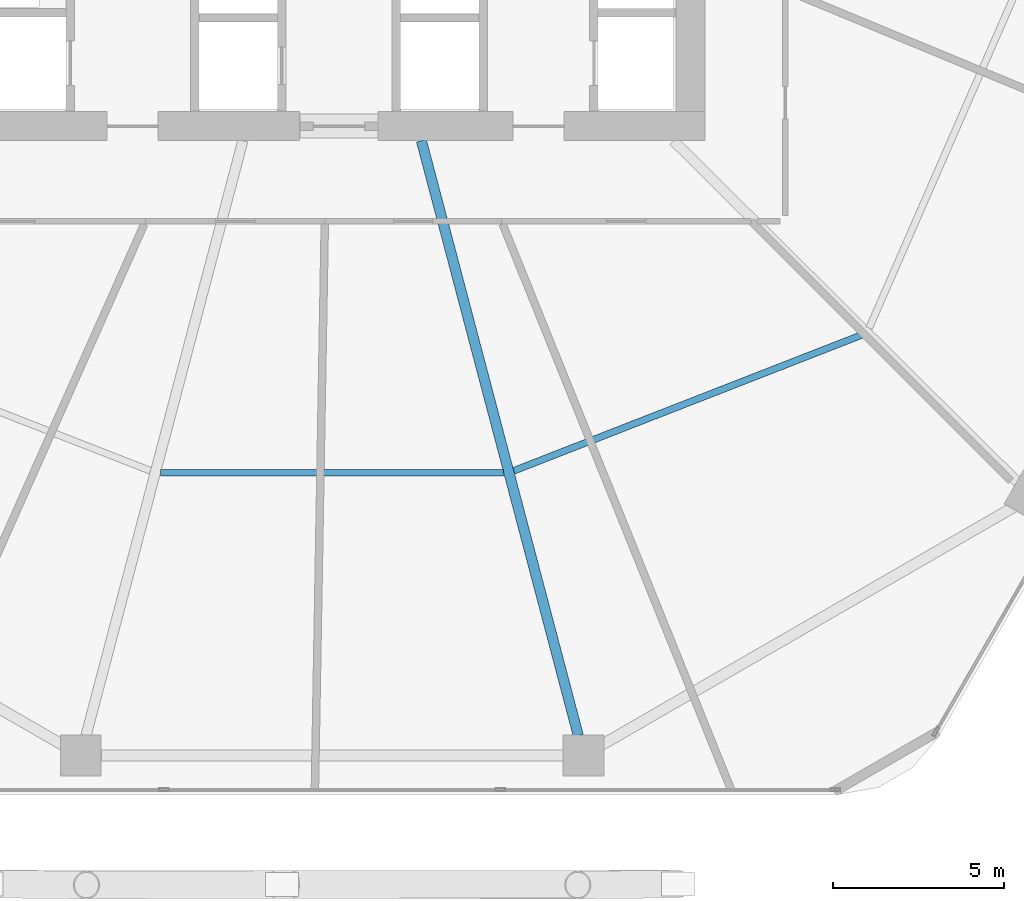
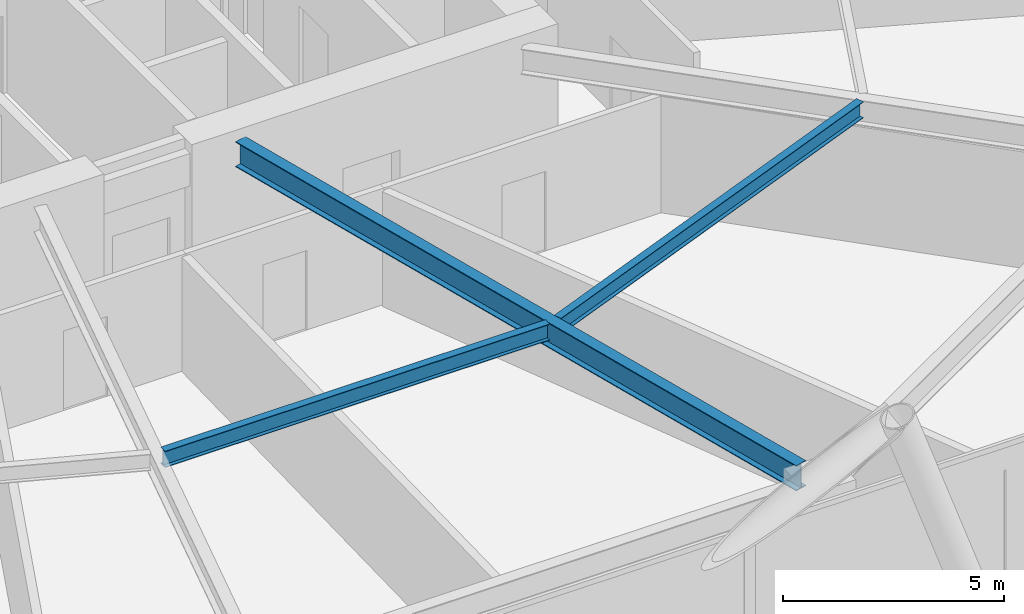
# One storey, part 8 of 28: 3 beams.
"""IFC4 building model written with IfcOpenShell, lengths in metres."""

import ifcopenshell
import ifcopenshell.guid

model = None  # the IFC model being written
_history = None  # IfcOwnerHistory: only IFC2X3 demands one
_inside = {}  # id of a spatial element -> (the spatial element, [elements in it])
_under = {}  # id of a project, library or spatial element -> (it, [spatial elements below it])
_declared = {}  # id of a project -> (the project, [libraries it declares])
_typed = {}  # id of a type object -> (the type object, [elements of that type])
_made_of = {}  # id of a material, layer set ... -> (it, [elements and type objects made of it])


def new_model(schema):
    """Start an empty IFC model of exactly this schema.

    Asked for "IFC4X3", IfcOpenShell would pick the latest addendum, in which some entities
    have other attributes; the version numbers below select the first issue.
    IFC2X3 requires an IfcOwnerHistory on every rooted entity: one is made here for all.
    """
    global model, _history
    if schema == "IFC4X3":
        model = ifcopenshell.file(schema_version=(4, 3, 0, 0))
    else:
        model = ifcopenshell.file(schema=schema)
    _inside.clear()
    _under.clear()
    _declared.clear()
    _typed.clear()
    _made_of.clear()
    _history = None
    if model.schema == "IFC2X3":
        org = make("IfcOrganization", Name="unknown")
        user = make(
            "IfcPersonAndOrganization",
            ThePerson=make("IfcPerson", FamilyName="unknown"),
            TheOrganization=org,
        )
        app = make(
            "IfcApplication",
            ApplicationDeveloper=org,
            Version="unknown",
            ApplicationFullName="unknown",
            ApplicationIdentifier="unknown",
        )
        _history = make(
            "IfcOwnerHistory",
            OwningUser=user,
            OwningApplication=app,
            ChangeAction="ADDED",
            CreationDate=0,
        )
    return model


def make(cls, **values):
    """One entity of the class cls with the attributes given. An attribute that is None is left unset."""
    return model.create_entity(
        cls, **{name: value for name, value in values.items() if value is not None}
    )


def rooted(cls, **values):
    """An entity with a GlobalId (a new one), such as an element, a storey or a relation."""
    return make(cls, GlobalId=ifcopenshell.guid.new(), OwnerHistory=_history, **values)


def si_unit(unit_type, name, prefix=None):
    """IfcSIUnit, for example si_unit("LENGTHUNIT", "METRE", prefix="MILLI")."""
    return make("IfcSIUnit", UnitType=unit_type, Prefix=prefix, Name=name)


def assignment(units):
    """IfcUnitAssignment: the units of a project."""
    return None if units is None else make("IfcUnitAssignment", Units=units)


def point(xyz):
    """IfcCartesianPoint."""
    return None if xyz is None else make("IfcCartesianPoint", Coordinates=xyz)


def direction(xyz):
    """IfcDirection."""
    return None if xyz is None else make("IfcDirection", DirectionRatios=xyz)


def frame(location, z_axis=None, x_axis=None):
    """IfcAxis2Placement3D, a coordinate frame: its origin and axes. An axis left out is left unset."""
    return make(
        "IfcAxis2Placement3D",
        Location=point(location),
        Axis=direction(z_axis),
        RefDirection=direction(x_axis),
    )


def frame_2d(location, x_axis=None):
    """IfcAxis2Placement2D, a coordinate frame in the plane: its origin and x axis."""
    return make(
        "IfcAxis2Placement2D", Location=point(location), RefDirection=direction(x_axis)
    )


def origin():
    """The frame at (0, 0, 0) with its axes left unset."""
    return frame((0.0, 0.0, 0.0))


def origin_2d():
    """The frame at (0, 0) in the plane with its x axis left unset."""
    return frame_2d((0.0, 0.0))


def place(relative_to, where):
    """IfcLocalPlacement: puts the frame where relative to a parent placement (None: the world)."""
    return make(
        "IfcLocalPlacement", PlacementRelTo=relative_to, RelativePlacement=where
    )


def context(
    kind, dimensions, precision=None, world=None, true_north=None, identifier=None
):
    """IfcGeometricRepresentationContext, for example the 3D "Model" context."""
    return make(
        "IfcGeometricRepresentationContext",
        ContextIdentifier=identifier,
        ContextType=kind,
        CoordinateSpaceDimension=dimensions,
        Precision=precision,
        WorldCoordinateSystem=world,
        TrueNorth=true_north,
    )


def subcontext(parent, identifier, kind, view, scale=None):
    """IfcGeometricRepresentationSubContext, for example "Body" below "Model"."""
    return make(
        "IfcGeometricRepresentationSubContext",
        ContextIdentifier=identifier,
        ContextType=kind,
        ParentContext=parent,
        TargetScale=scale,
        TargetView=view,
    )


def project(units=None, contexts=None):
    """IfcProject with its units and contexts."""
    return rooted(
        "IfcProject",
        Name="project",
        RepresentationContexts=contexts,
        UnitsInContext=assignment(units),
    )


def spatial(cls, under=None, at=None, **own):
    """A site, building, storey or space (cls), placed at a placement, below another one or the project."""
    s = rooted(cls, ObjectPlacement=at, **own)
    if under is not None:
        _under.setdefault(under.id(), (under, []))[1].append(s)
    return s


def profile(cls, at=None, kind="AREA", **sizes):
    """A parametric profile (cls). Its sizes go by their IFC names, for example OverallWidth=200.0."""
    return make(cls, ProfileType=kind, Position=at, **sizes)


def i_section(**sizes):
    """IfcIShapeProfileDef."""
    return profile("IfcIShapeProfileDef", **sizes)


def extrude(swept, where, along, depth):
    """IfcExtrudedAreaSolid: the profile swept, set in the frame where, extruded along a direction by depth."""
    return make(
        "IfcExtrudedAreaSolid",
        SweptArea=swept,
        Position=where,
        ExtrudedDirection=direction(along),
        Depth=depth,
    )


def shape(context_of_items, identifier, shape_type, items):
    """IfcShapeRepresentation: the items that make up one representation, for example the "Body"."""
    return make(
        "IfcShapeRepresentation",
        ContextOfItems=context_of_items,
        RepresentationIdentifier=identifier,
        RepresentationType=shape_type,
        Items=items,
    )


def material(Name=None, Category=None):
    """IfcMaterial."""
    return make("IfcMaterial", Name=Name, Category=Category)


def material_profile(
    of_material, cross_section, Name=None, Category=None, Priority=None
):
    """IfcMaterialProfile: a cross section and its material."""
    return make(
        "IfcMaterialProfile",
        Name=Name,
        Material=of_material,
        Profile=cross_section,
        Priority=Priority,
        Category=Category,
    )


def profile_set(profiles, Name=None, composite=None):
    """IfcMaterialProfileSet."""
    return make(
        "IfcMaterialProfileSet",
        Name=Name,
        MaterialProfiles=profiles,
        CompositeProfile=composite,
    )


def made_of(thing, what):
    """Note that an element or type object is made of a material, layer set ...; save() writes the relation."""
    if what is not None:
        _made_of.setdefault(what.id(), (what, []))[1].append(thing)
    return thing


def type_object(cls, material=None, **own):
    """A type object (cls), such as IfcWallType, which elements share."""
    return made_of(rooted(cls, **own), material)


def element(
    cls,
    number,
    at=None,
    inside=None,
    cuts=None,
    type_object=None,
    material=None,
    context=None,
    identifier="Body",
    shape_type=None,
    held_by="IfcProductDefinitionShape",
    body=None,
    shapes=None,
    **own,
):
    """One element of the class cls, such as IfcWall. Its Tag is "e" and its number.

    at: its placement. inside: the storey or other place that contains it. cuts: it is an
    opening in that element (IfcRelVoidsElement). A single representation is given by context,
    identifier, shape_type and body (its items); several are given by shapes. held_by: the class
    of the entity that holds the representations. save() writes the other relations.
    """
    e = rooted(cls, Tag="e%d" % number, ObjectPlacement=at, **own)
    if body is not None:
        shapes = [shape(context, identifier, shape_type, body)]
    if shapes is not None:
        e.Representation = make(held_by, Representations=shapes)
    if inside is not None:
        _inside.setdefault(inside.id(), (inside, []))[1].append(e)
    if cuts is not None:
        rooted(
            "IfcRelVoidsElement", RelatingBuildingElement=cuts, RelatedOpeningElement=e
        )
    if type_object is not None:
        _typed.setdefault(type_object.id(), (type_object, []))[1].append(e)
    return made_of(e, material)


def aggregate(whole, parts):
    """IfcRelAggregates: a whole, such as a stair, and the parts it consists of."""
    return rooted("IfcRelAggregates", RelatingObject=whole, RelatedObjects=parts)


def save(model, path):
    """Write the relations noted so far, then the file.

    IfcRelAggregates (storeys below a building ...), IfcRelContainedInSpatialStructure (elements
    in a storey), IfcRelDefinesByType, IfcRelAssociatesMaterial and IfcRelDeclares: one each for
    every whole, place, type object, material and project.
    """
    for whole, parts in _under.values():
        aggregate(whole, parts)
    for where, things in _inside.values():
        rooted(
            "IfcRelContainedInSpatialStructure",
            RelatedElements=things,
            RelatingStructure=where,
        )
    for kind, things in _typed.values():
        rooted("IfcRelDefinesByType", RelatedObjects=things, RelatingType=kind)
    for what, things in _made_of.values():
        rooted("IfcRelAssociatesMaterial", RelatedObjects=things, RelatingMaterial=what)
    for by, libraries in _declared.values():
        rooted("IfcRelDeclares", RelatingContext=by, RelatedDefinitions=libraries)
    model.write(path)


model = new_model("IFC4")

# Units and contexts
model_context = context("Model", 3, precision=1e-05, world=origin(), true_north=direction((0.0, 1.0)))
body_context = subcontext(model_context, "Body", "Model", "MODEL_VIEW")
ifc_project = project(units=[si_unit("LENGTHUNIT", "METRE"), si_unit("AREAUNIT", "SQUARE_METRE"), si_unit("VOLUMEUNIT", "CUBIC_METRE"), si_unit("PLANEANGLEUNIT", "RADIAN"), si_unit("MASSUNIT", "GRAM", prefix="KILO")], contexts=[model_context])

# Site, building, storey
site_placement = place(None, origin())
site = spatial("IfcSite", under=ifc_project, at=site_placement, CompositionType="ELEMENT")
building_placement = place(site_placement, origin())
building = spatial("IfcBuilding", under=site, at=building_placement, Name="Zuhravey Tower", CompositionType="ELEMENT")
storey_placement = place(building_placement, frame((0.0, 0.0, 75.0)))
storey = spatial("IfcBuildingStorey", under=building, at=storey_placement, Name="L18", CompositionType="ELEMENT", Elevation=75.0)

# Beams
ifc_material = material(Name="Steel SM355", Category="steel")
ifc_material_profile_1 = material_profile(ifc_material, i_section(OverallWidth=0.300048828125, OverallDepth=0.699951171875, WebThickness=0.012939453125, FlangeThickness=0.02392578125, at=origin_2d()), Name="H-700x300x13x24")
ifc_profile_set_1 = profile_set([ifc_material_profile_1], Name="Steel SM355")
beam_type_1 = type_object("IfcBeamType", Name="Radial Primary Girder H700x300", PredefinedType="BEAM", material=ifc_profile_set_1)
beam_1_placement = place(storey_placement, frame((38.617919921875, 22.072021484375, 3.570068359375), z_axis=(0.254989720435, -0.966943763862, 0.0), x_axis=(0.966943763862, 0.254989720435, 0.0)))
element("IfcBeam", 1, at=beam_1_placement, inside=storey, type_object=beam_type_1, Name="L18 RG1 BM-L18-RAD-10", PredefinedType="BEAM", context=body_context, shape_type="SweptSolid", body=[
    extrude(i_section(OverallWidth=0.300048828125, OverallDepth=0.699951171875, WebThickness=0.012939453125, FlangeThickness=0.02392578125, at=origin_2d()), origin(), (0.0, 0.0, 1.0), 18.03369140625),
])
ifc_material_profile_2 = material_profile(ifc_material, i_section(OverallWidth=0.199951171875, OverallDepth=0.449951171875, WebThickness=0.009033203125, FlangeThickness=0.013916015625, at=origin_2d()), Name="H-450x200x9x14")
ifc_profile_set_2 = profile_set([ifc_material_profile_2], Name="Steel SM355")
beam_type_2 = type_object("IfcBeamType", Name="Secondary Floor Joist H450x200", PredefinedType="JOIST", material=ifc_profile_set_2)
beam_2_placement = place(storey_placement, frame((30.969970703125, 12.3408203125, 3.695068359375), z_axis=(1.0, 0.0, 0.0), x_axis=(0.0, 1.0, 0.0)))
element("IfcBeam", 2, at=beam_2_placement, inside=storey, type_object=beam_type_2, Name="L18 SJ1 BM-L18-SJ-09-1", PredefinedType="JOIST", context=body_context, shape_type="SweptSolid", body=[
    extrude(i_section(OverallWidth=0.199951171875, OverallDepth=0.449951171875, WebThickness=0.009033203125, FlangeThickness=0.013916015625, at=origin_2d()), origin(), (0.0, 0.0, 1.0), 10.06005859375),
])
beam_3_placement = place(storey_placement, frame((41.32763671875, 12.39697265625, 3.695068359375), z_axis=(0.931516535886, 0.363698973562, 0.0), x_axis=(-0.363698973562, 0.931516535886, 0.0)))
element("IfcBeam", 3, at=beam_3_placement, inside=storey, type_object=beam_type_2, Name="L18 SJ1 BM-L18-SJ-10-1", PredefinedType="JOIST", context=body_context, shape_type="SweptSolid", body=[
    extrude(i_section(OverallWidth=0.199951171875, OverallDepth=0.449951171875, WebThickness=0.009033203125, FlangeThickness=0.013916015625, at=origin_2d()), origin(), (0.0, 0.0, 1.0), 10.963134765625),
])

save(model, "model.ifc")
